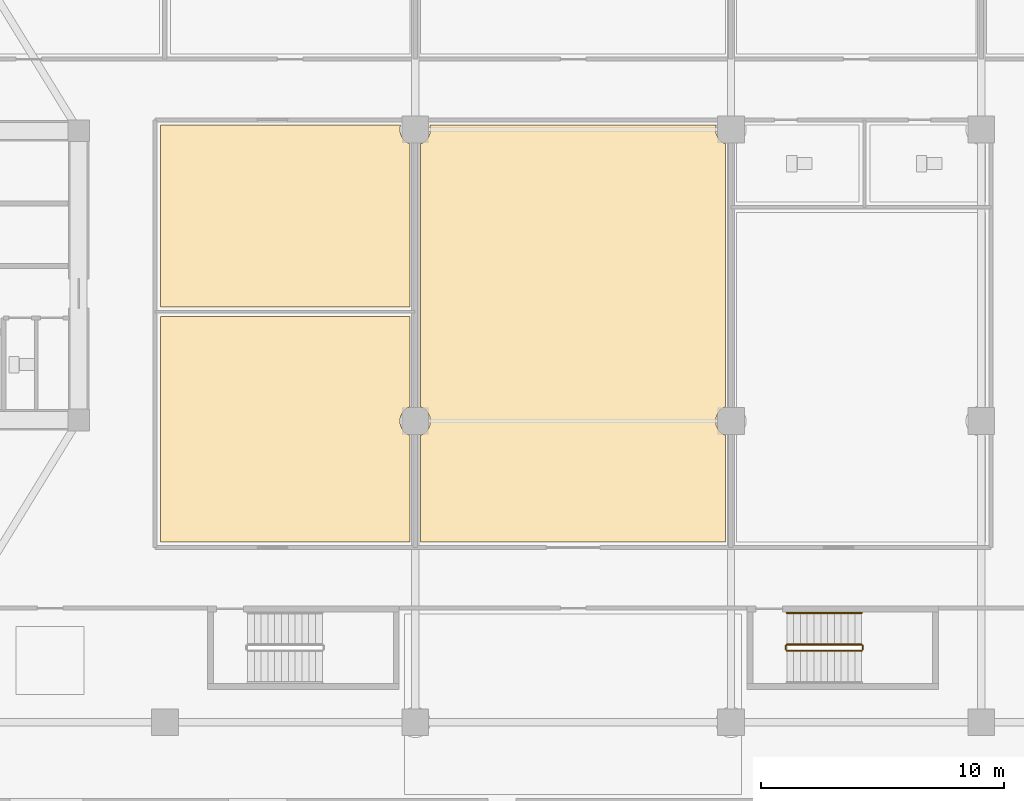
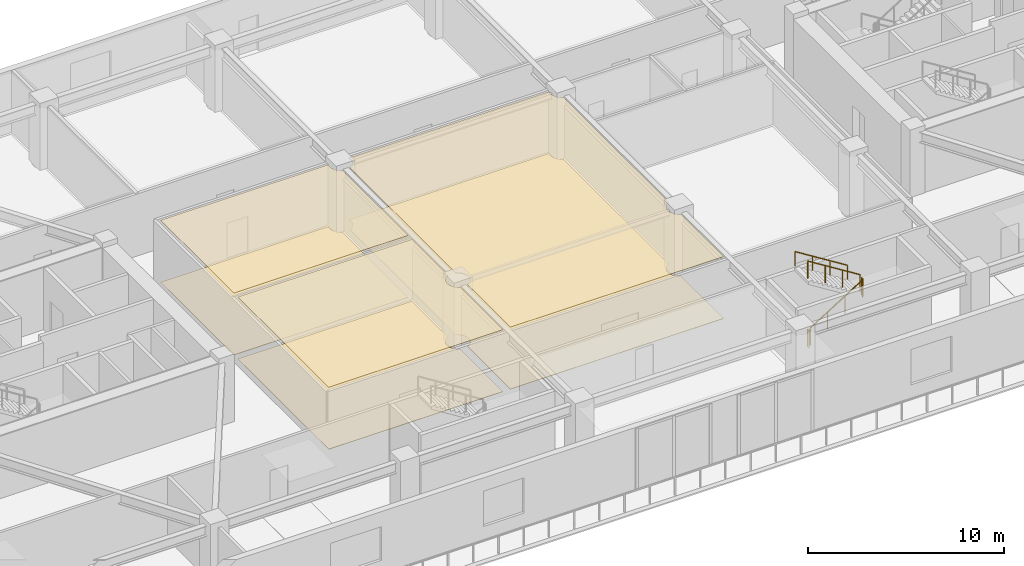
# One storey, part 17 of 23: 6 coverings, 5 railings.
"""IFC4 building model written with IfcOpenShell, lengths in metres."""

from ifc_helpers import new_model, si_unit, direction, frame, origin, origin_2d, place, context, subcontext, project, spatial, polyline, rectangle, outline, extrude, material, layer, layer_set, type_object, element, save


model = new_model("IFC4")

# Units and contexts
model_context = context("Model", 3, precision=1e-05, world=origin(), true_north=direction((0.0, 1.0)))
body_context = subcontext(model_context, "Body", "Model", "MODEL_VIEW")
ifc_project = project(units=[si_unit("LENGTHUNIT", "METRE"), si_unit("AREAUNIT", "SQUARE_METRE"), si_unit("VOLUMEUNIT", "CUBIC_METRE"), si_unit("PLANEANGLEUNIT", "RADIAN"), si_unit("MASSUNIT", "GRAM", prefix="KILO")], contexts=[model_context])

# Site, building, storey
site_placement = place(None, origin())
site = spatial("IfcSite", under=ifc_project, at=site_placement, CompositionType="ELEMENT")
building_placement = place(site_placement, origin())
building = spatial("IfcBuilding", under=site, at=building_placement, Name="Norrkilde Senior Care Towers", CompositionType="ELEMENT")
storey_placement = place(building_placement, frame((0.0, 0.0, 8.39990234375)))
storey = spatial("IfcBuildingStorey", under=building, at=storey_placement, Name="L02", CompositionType="ELEMENT", Elevation=8.39990234375)

# Coverings
ifc_material_1 = material(Name="Gypsum Acoustic Board")
ifc_layer_1 = layer(ifc_material_1, 0.030029296875)
ifc_layer_set_1 = layer_set([ifc_layer_1], Name="Gypsum Acoustic Board")
covering_type_1 = type_object("IfcCoveringType", Name="Medical Cleanable Gypsum Ceiling 30", PredefinedType="CEILING", material=ifc_layer_set_1)
covering_1_placement = place(storey_placement, frame((0.0, 0.0, 3.85009765625)))
element("IfcCovering", 1, at=covering_1_placement, inside=storey, type_object=covering_type_1, Name="L02 Suspended Ceiling 0050", PredefinedType="CEILING", context=body_context, shape_type="SweptSolid", body=[
    extrude(outline(polyline([(-6.719970703125, -5.4150390625), (-6.81494140625, -5.454345703125), (-6.945556640625, -5.554443359375), (-7.045654296875, -5.68505859375), (-7.108642578125, -5.8369140625), (-7.1298828125, -6.0), (-7.108642578125, -6.1630859375), (-7.045654296875, -6.31494140625), (-6.945556640625, -6.445556640625), (-6.81494140625, -6.545654296875), (-6.719970703125, -6.5849609375), (-6.719970703125, -10.97998046875), (-16.97998046875, -10.97998046875), (-16.97998046875, -1.699951171875), (-6.719970703125, -1.699951171875), (-6.719970703125, -5.4150390625)])), origin(), (0.0, 0.0, 1.0), 0.030029296875),
])
covering_2_placement = place(storey_placement, frame((0.0, 0.0, 3.85009765625)))
element("IfcCovering", 2, at=covering_2_placement, inside=storey, type_object=covering_type_1, Name="L02 Suspended Ceiling 0051", PredefinedType="CEILING", context=body_context, shape_type="SweptSolid", body=[
    extrude(outline(polyline([(-6.719970703125, -1.300048828125), (-16.97998046875, -1.300048828125), (-16.97998046875, 6.179931640625), (-7.1015625, 6.179931640625), (-7.108642578125, 6.1630859375), (-7.1298828125, 6.0), (-7.108642578125, 5.8369140625), (-7.045654296875, 5.68505859375), (-6.945556640625, 5.554443359375), (-6.81494140625, 5.454345703125), (-6.719970703125, 5.4150390625), (-6.719970703125, -1.300048828125)])), origin(), (0.0, 0.0, 1.0), 0.030029296875),
])
covering_3_placement = place(storey_placement, frame((0.0, 0.0, 3.85009765625)))
element("IfcCovering", 3, at=covering_3_placement, inside=storey, type_object=covering_type_1, Name="L02 Suspended Ceiling 0052", PredefinedType="CEILING", context=body_context, shape_type="SweptSolid", body=[
    extrude(outline(polyline([(-6.18505859375, -6.545654296875), (-6.054443359375, -6.445556640625), (-5.954345703125, -6.31494140625), (-5.891357421875, -6.1630859375), (-5.8701171875, -6.0), (-5.891357421875, -5.8369140625), (-5.954345703125, -5.68505859375), (-6.054443359375, -5.554443359375), (-6.18505859375, -5.454345703125), (-6.280029296875, -5.4150390625), (-6.280029296875, 5.4150390625), (-6.18505859375, 5.454345703125), (-6.054443359375, 5.554443359375), (-5.954345703125, 5.68505859375), (-5.891357421875, 5.8369140625), (-5.8701171875, 6.0), (-5.891357421875, 6.1630859375), (-5.8984375, 6.179931640625), (5.8984375, 6.179931640625), (5.891357421875, 6.1630859375), (5.8701171875, 6.0), (5.891357421875, 5.8369140625), (5.954345703125, 5.68505859375), (6.054443359375, 5.554443359375), (6.18505859375, 5.454345703125), (6.280029296875, 5.4150390625), (6.280029296875, -5.4150390625), (6.18505859375, -5.454345703125), (6.054443359375, -5.554443359375), (5.954345703125, -5.68505859375), (5.891357421875, -5.8369140625), (5.8701171875, -6.0), (5.891357421875, -6.1630859375), (5.954345703125, -6.31494140625), (6.054443359375, -6.445556640625), (6.18505859375, -6.545654296875), (6.280029296875, -6.5849609375), (6.280029296875, -10.97998046875), (-6.280029296875, -10.97998046875), (-6.280029296875, -6.5849609375), (-6.18505859375, -6.545654296875)])), origin(), (0.0, 0.0, 1.0), 0.030029296875),
])
ifc_material_2 = material(Name="Slip-Resistant Porcelain Stone", Category="masonry")
ifc_layer_2 = layer(ifc_material_2, 0.02490234375)
ifc_layer_set_2 = layer_set([ifc_layer_2], Name="Slip-Resistant Porcelain Stone")
covering_type_2 = type_object("IfcCoveringType", Name="Slip-Resistant Porcelain Flooring 25", PredefinedType="FLOORING", material=ifc_layer_set_2)
covering_4_placement = place(storey_placement, origin())
element("IfcCovering", 4, at=covering_4_placement, inside=storey, type_object=covering_type_2, Name="L02 Floor Finish 0050", PredefinedType="FLOORING", context=body_context, shape_type="SweptSolid", body=[
    extrude(outline(polyline([(-6.719970703125, -5.4150390625), (-6.81494140625, -5.454345703125), (-6.945556640625, -5.554443359375), (-7.045654296875, -5.68505859375), (-7.108642578125, -5.8369140625), (-7.1298828125, -6.0), (-7.108642578125, -6.1630859375), (-7.045654296875, -6.31494140625), (-6.945556640625, -6.445556640625), (-6.81494140625, -6.545654296875), (-6.719970703125, -6.5849609375), (-6.719970703125, -10.97998046875), (-16.97998046875, -10.97998046875), (-16.97998046875, -1.699951171875), (-6.719970703125, -1.699951171875), (-6.719970703125, -5.4150390625)])), origin(), (0.0, 0.0, 1.0), 0.025146484375),
])
covering_5_placement = place(storey_placement, origin())
element("IfcCovering", 5, at=covering_5_placement, inside=storey, type_object=covering_type_2, Name="L02 Floor Finish 0051", PredefinedType="FLOORING", context=body_context, shape_type="SweptSolid", body=[
    extrude(outline(polyline([(-6.719970703125, -1.300048828125), (-16.97998046875, -1.300048828125), (-16.97998046875, 6.179931640625), (-7.1015625, 6.179931640625), (-7.108642578125, 6.1630859375), (-7.1298828125, 6.0), (-7.108642578125, 5.8369140625), (-7.045654296875, 5.68505859375), (-6.945556640625, 5.554443359375), (-6.81494140625, 5.454345703125), (-6.719970703125, 5.4150390625), (-6.719970703125, -1.300048828125)])), origin(), (0.0, 0.0, 1.0), 0.025146484375),
])
covering_6_placement = place(storey_placement, origin())
element("IfcCovering", 6, at=covering_6_placement, inside=storey, type_object=covering_type_2, Name="L02 Floor Finish 0052", PredefinedType="FLOORING", context=body_context, shape_type="SweptSolid", body=[
    extrude(outline(polyline([(-6.18505859375, -6.545654296875), (-6.054443359375, -6.445556640625), (-5.954345703125, -6.31494140625), (-5.891357421875, -6.1630859375), (-5.8701171875, -6.0), (-5.891357421875, -5.8369140625), (-5.954345703125, -5.68505859375), (-6.054443359375, -5.554443359375), (-6.18505859375, -5.454345703125), (-6.280029296875, -5.4150390625), (-6.280029296875, 5.4150390625), (-6.18505859375, 5.454345703125), (-6.054443359375, 5.554443359375), (-5.954345703125, 5.68505859375), (-5.891357421875, 5.8369140625), (-5.8701171875, 6.0), (-5.891357421875, 6.1630859375), (-5.8984375, 6.179931640625), (5.8984375, 6.179931640625), (5.891357421875, 6.1630859375), (5.8701171875, 6.0), (5.891357421875, 5.8369140625), (5.954345703125, 5.68505859375), (6.054443359375, 5.554443359375), (6.18505859375, 5.454345703125), (6.280029296875, 5.4150390625), (6.280029296875, -5.4150390625), (6.18505859375, -5.454345703125), (6.054443359375, -5.554443359375), (5.954345703125, -5.68505859375), (5.891357421875, -5.8369140625), (5.8701171875, -6.0), (5.891357421875, -6.1630859375), (5.954345703125, -6.31494140625), (6.054443359375, -6.445556640625), (6.18505859375, -6.545654296875), (6.280029296875, -6.5849609375), (6.280029296875, -10.97998046875), (-6.280029296875, -10.97998046875), (-6.280029296875, -6.5849609375), (-6.18505859375, -6.545654296875)])), origin(), (0.0, 0.0, 1.0), 0.025146484375),
])

# Railings
ifc_material_3 = material(Name="Stainless Steel", Category="steel")
railing_type_1 = type_object("IfcRailingType", Name="Stair and Terrace Guardrail 1100", PredefinedType="GUARDRAIL", material=ifc_material_3)
railing_1_placement = place(storey_placement, frame((8.800048828125, -15.449951171875, 0.175048828125)))
element("IfcRailing", 7, at=railing_1_placement, inside=storey, type_object=railing_type_1, Name="L02 ST-P2 stair guard 1", PredefinedType="GUARDRAIL", context=body_context, shape_type="SweptSolid", body=[
    extrude(rectangle(XDim=0.048095703125, YDim=0.048095703125, at=origin_2d()), frame((0.0, 0.0, 1.076171875), z_axis=(0.847979421464, 0.0, 0.530029150871), x_axis=(0.0, 1.0, 0.0)), (0.0, 0.0, 1.0), 3.632080078125),
    extrude(rectangle(XDim=0.0419921875, YDim=0.0419921875, at=origin_2d()), origin(), (0.0, 0.0, 1.0), 1.050048828125),
    extrude(rectangle(XDim=0.0419921875, YDim=0.0419921875, at=origin_2d()), frame((1.026611328125, 0.0, 0.6416015625)), (0.0, 0.0, 1.0), 1.050048828125),
    extrude(rectangle(XDim=0.0419921875, YDim=0.0419921875, at=origin_2d()), frame((2.05322265625, 0.0, 1.283447265625)), (0.0, 0.0, 1.0), 1.050048828125),
    extrude(rectangle(XDim=0.0419921875, YDim=0.0419921875, at=origin_2d()), frame((3.079833984375, 0.0, 1.925048828125)), (0.0, 0.0, 1.0), 1.050048828125),
])
railing_2_placement = place(storey_placement, frame((11.929931640625, -15.39990234375, 2.10009765625)))
element("IfcRailing", 8, at=railing_2_placement, inside=storey, type_object=railing_type_1, Name="L02 ST-P2 stair guard 2", PredefinedType="GUARDRAIL", context=body_context, shape_type="SweptSolid", body=[
    extrude(rectangle(XDim=0.048095703125, YDim=0.048095703125, at=origin_2d()), frame((0.0, 0.0, 1.076171875), z_axis=(0.0, 1.0, 0.0), x_axis=(-1.0, 0.0, 0.0)), (0.0, 0.0, 1.0), 0.14990234375),
    extrude(rectangle(XDim=0.0419921875, YDim=0.0419921875, at=origin_2d()), origin(), (0.0, 0.0, 1.0), 1.050048828125),
    extrude(rectangle(XDim=0.0419921875, YDim=0.0419921875, at=origin_2d()), frame((0.0, 0.14990234375, 0.0)), (0.0, 0.0, 1.0), 1.050048828125),
])
railing_3_placement = place(storey_placement, frame((11.8798828125, -15.199951171875, 2.275146484375)))
element("IfcRailing", 9, at=railing_3_placement, inside=storey, type_object=railing_type_1, Name="L02 ST-P2 stair guard 3", PredefinedType="GUARDRAIL", context=body_context, shape_type="SweptSolid", body=[
    extrude(rectangle(XDim=0.048095703125, YDim=0.048095703125, at=origin_2d()), frame((0.0, 0.0, 1.076171875), z_axis=(-0.847979421464, 0.0, 0.530029150871), x_axis=(0.0, -1.0, 0.0)), (0.0, 0.0, 1.0), 3.632080078125),
    extrude(rectangle(XDim=0.0419921875, YDim=0.0419921875, at=origin_2d()), origin(), (0.0, 0.0, 1.0), 1.050048828125),
    extrude(rectangle(XDim=0.0419921875, YDim=0.0419921875, at=origin_2d()), frame((-1.026611328125, 0.0, 0.6416015625)), (0.0, 0.0, 1.0), 1.050048828125),
    extrude(rectangle(XDim=0.0419921875, YDim=0.0419921875, at=origin_2d()), frame((-2.05322265625, 0.0, 1.283447265625)), (0.0, 0.0, 1.0), 1.050048828125),
    extrude(rectangle(XDim=0.0419921875, YDim=0.0419921875, at=origin_2d()), frame((-3.079833984375, 0.0, 1.925048828125)), (0.0, 0.0, 1.0), 1.050048828125),
])
railing_4_placement = place(storey_placement, frame((8.75, -15.39990234375, 0.0)))
element("IfcRailing", 10, at=railing_4_placement, inside=storey, type_object=railing_type_1, Name="L02 ST-P2 stair guard 4", PredefinedType="GUARDRAIL", context=body_context, shape_type="SweptSolid", body=[
    extrude(rectangle(XDim=0.048095703125, YDim=0.048095703125, at=origin_2d()), frame((0.0, 0.0, 1.076171875), z_axis=(0.0, 1.0, 0.0), x_axis=(-1.0, 0.0, 0.0)), (0.0, 0.0, 1.0), 0.14990234375),
    extrude(rectangle(XDim=0.0419921875, YDim=0.0419921875, at=origin_2d()), origin(), (0.0, 0.0, 1.0), 1.050048828125),
    extrude(rectangle(XDim=0.0419921875, YDim=0.0419921875, at=origin_2d()), frame((0.0, 0.14990234375, 0.0)), (0.0, 0.0, 1.0), 1.050048828125),
])
ifc_material_4 = material(Name="Nordic Ash Timber", Category="wood")
railing_type_2 = type_object("IfcRailingType", Name="Wall and Stair Handrail 900", PredefinedType="HANDRAIL", material=ifc_material_4)
railing_5_placement = place(storey_placement, frame((11.8798828125, -13.89990234375, 2.275146484375)))
element("IfcRailing", 11, at=railing_5_placement, inside=storey, type_object=railing_type_2, Name="L02 ST-P2 stair handrail 2", PredefinedType="HANDRAIL", context=body_context, shape_type="SweptSolid", body=[
    extrude(rectangle(XDim=0.048095703125, YDim=0.048095703125, at=origin_2d()), frame((0.0, 0.0, 0.8759765625), z_axis=(-0.847979421464, 0.0, 0.530029150871), x_axis=(0.0, -1.0, 0.0)), (0.0, 0.0, 1.0), 3.632080078125),
    extrude(rectangle(XDim=0.0419921875, YDim=0.0419921875, at=origin_2d()), origin(), (0.0, 0.0, 1.0), 0.849853515625),
    extrude(rectangle(XDim=0.0419921875, YDim=0.0419921875, at=origin_2d()), frame((-1.026611328125, 0.0, 0.6416015625)), (0.0, 0.0, 1.0), 0.849853515625),
    extrude(rectangle(XDim=0.0419921875, YDim=0.0419921875, at=origin_2d()), frame((-2.05322265625, 0.0, 1.283447265625)), (0.0, 0.0, 1.0), 0.849853515625),
    extrude(rectangle(XDim=0.0419921875, YDim=0.0419921875, at=origin_2d()), frame((-3.079833984375, 0.0, 1.925048828125)), (0.0, 0.0, 1.0), 0.849853515625),
])

save(model, "model.ifc")
